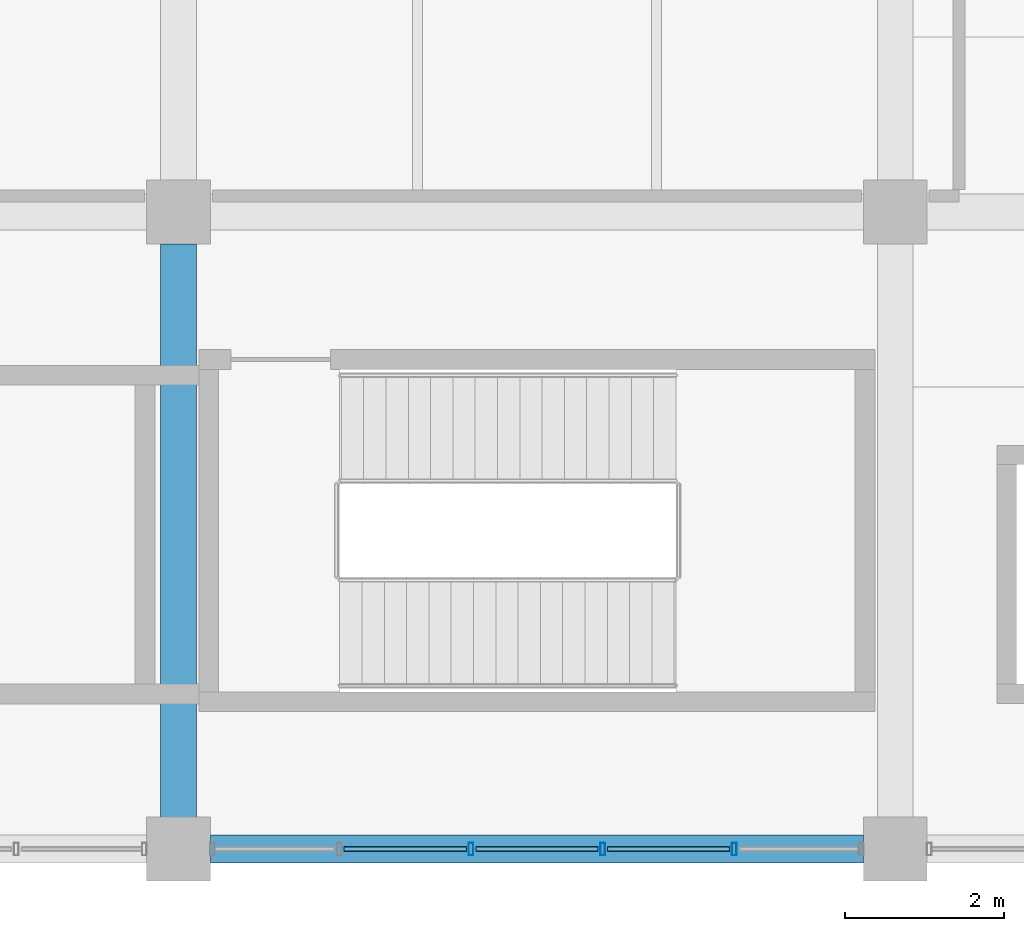
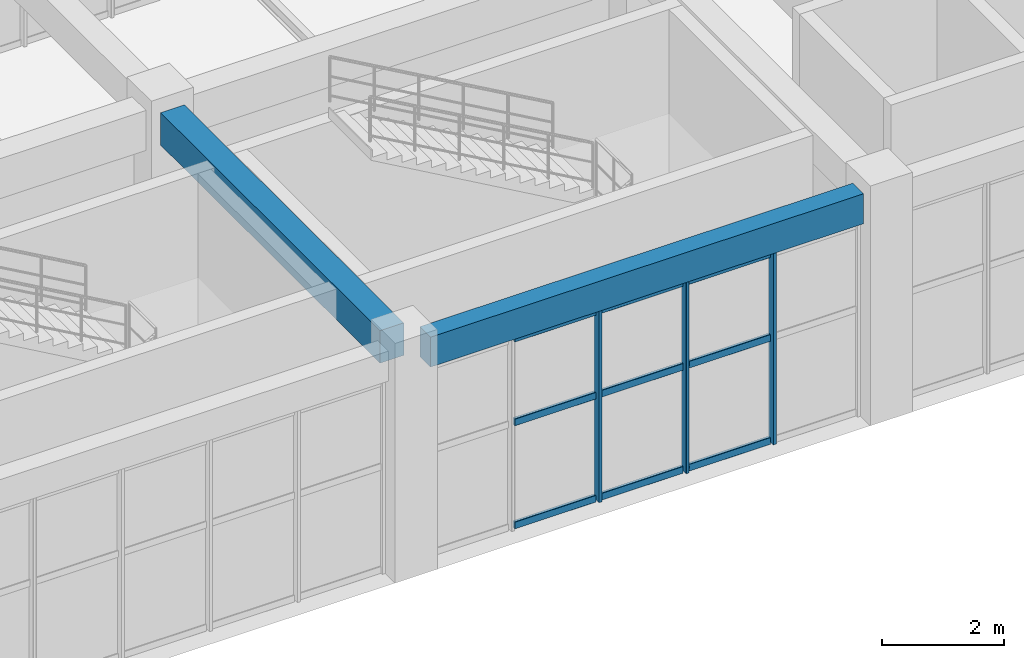
# One storey, part 12 of 178: 12 members, 2 beams, 1 element without a shape of its own.
"""IFC4 building model written with IfcOpenShell, lengths in metres."""

from ifc_helpers import new_model, si_unit, derived_unit, direction, frame, origin, origin_2d, place, context, subcontext, project, spatial, rectangle, hollow_rectangle, extrude, material, material_profile, profile_set, type_object, element, aggregate, save


model = new_model("IFC4")

# Units and contexts
model_context = context("Model", 3, precision=1e-05, world=origin(), true_north=direction((0.0, 1.0)))
body_context = subcontext(model_context, "Body", "Model", "MODEL_VIEW")
ifc_project = project(units=[si_unit("LENGTHUNIT", "METRE"), si_unit("AREAUNIT", "SQUARE_METRE"), si_unit("VOLUMEUNIT", "CUBIC_METRE"), si_unit("PLANEANGLEUNIT", "RADIAN"), si_unit("MASSUNIT", "GRAM", prefix="KILO"), derived_unit("THERMALTRANSMITTANCEUNIT", [(si_unit("MASSUNIT", "GRAM", prefix="KILO"), 1), (si_unit("TIMEUNIT", "SECOND"), -3), (si_unit("THERMODYNAMICTEMPERATUREUNIT", "KELVIN"), -1)])], contexts=[model_context])

# Site, building, storey
site_placement = place(None, origin())
site = spatial("IfcSite", under=ifc_project, at=site_placement, CompositionType="ELEMENT")
building_placement = place(site_placement, origin())
building = spatial("IfcBuilding", under=site, at=building_placement, Name="Zhenchuan Archway Interchange", CompositionType="ELEMENT")
storey_placement = place(building_placement, frame((0.0, 0.0, 5.39990234375)))
storey = spatial("IfcBuildingStorey", under=building, at=storey_placement, Name="L01", CompositionType="ELEMENT", Elevation=5.39990234375)

# Beam
ifc_material_1 = material(Name="Concrete C40", Category="concrete")
ifc_material_profile_1 = material_profile(ifc_material_1, rectangle(XDim=0.449951171875, YDim=0.64990234375, at=origin_2d()), Name="RC 450x650")
ifc_profile_set_1 = profile_set([ifc_material_profile_1], Name="Concrete C40")
beam_type_1 = type_object("IfcBeamType", Name="BM_RC_450x650", PredefinedType="BEAM", material=ifc_profile_set_1)
beam_1_placement = place(storey_placement, frame((9.0, 0.39990234375, 4.18505859375), z_axis=(0.0, 1.0, 0.0), x_axis=(-1.0, 0.0, 0.0)))
element("IfcBeam", 1, at=beam_1_placement, inside=storey, type_object=beam_type_1, Name="Beam 2:A-B (L01)", PredefinedType="BEAM", context=body_context, shape_type="SweptSolid", body=[
    extrude(rectangle(XDim=0.449951171875, YDim=0.64990234375, at=origin_2d()), origin(), (0.0, 0.0, 1.0), 7.2001953125),
])

# Curtain wall, members
ifc_material_2 = material(Name="Anodised Aluminium", Category="aluminium")
curtain_wall_type = type_object("IfcCurtainWallType", Name="CW_UNIT_2", PredefinedType="NOTDEFINED", material=ifc_material_2)
curtain_wall_placement = place(storey_placement, origin())
curtain_wall = element("IfcCurtainWall", 2, at=curtain_wall_placement, inside=storey, type_object=curtain_wall_type, Name="Unitised curtain wall CW:L01:085", PredefinedType="NOTDEFINED")
ifc_material_profile_2 = material_profile(ifc_material_2, hollow_rectangle(XDim=0.06005859375, YDim=0.159912109375, WallThickness=0.00390625, InnerFilletRadius=0.00390625, OuterFilletRadius=0.008056640625, at=origin_2d()), Name="ALU 160x60x4")
ifc_profile_set_2 = profile_set([ifc_material_profile_2], Name="Anodised Aluminium")
member_type_1 = type_object("IfcMemberType", Name="CW_MUL_150", PredefinedType="MULLION", material=ifc_profile_set_2)
member_1_placement = place(storey_placement, frame((15.979248046875, 0.0, 0.0), z_axis=(0.0, 0.0, 1.0), x_axis=(1.0, 0.0, 0.0)))
member_1 = element("IfcMember", 3, at=member_1_placement, type_object=member_type_1, Name="CW:L01:085 mullion 1", PredefinedType="MULLION", context=body_context, shape_type="SweptSolid", body=[
    extrude(hollow_rectangle(XDim=0.06005859375, YDim=0.159912109375, WallThickness=0.00390625, InnerFilletRadius=0.00390625, OuterFilletRadius=0.008056640625, at=origin_2d()), origin(), (0.0, 0.0, 1.0), 3.880126953125),
])
member_2_placement = place(storey_placement, frame((14.326416015625, 0.0, 0.0), z_axis=(0.0, 0.0, 1.0), x_axis=(1.0, 0.0, 0.0)))
member_2 = element("IfcMember", 4, at=member_2_placement, type_object=member_type_1, Name="CW:L01:085 mullion 2", PredefinedType="MULLION", context=body_context, shape_type="SweptSolid", body=[
    extrude(hollow_rectangle(XDim=0.06005859375, YDim=0.159912109375, WallThickness=0.00390625, InnerFilletRadius=0.00390625, OuterFilletRadius=0.008056640625, at=origin_2d()), origin(), (0.0, 0.0, 1.0), 3.880126953125),
])
member_3_placement = place(storey_placement, frame((12.673583984375, 0.0, 0.0), z_axis=(0.0, 0.0, 1.0), x_axis=(1.0, 0.0, 0.0)))
member_3 = element("IfcMember", 5, at=member_3_placement, type_object=member_type_1, Name="CW:L01:085 mullion 3", PredefinedType="MULLION", context=body_context, shape_type="SweptSolid", body=[
    extrude(hollow_rectangle(XDim=0.06005859375, YDim=0.159912109375, WallThickness=0.00390625, InnerFilletRadius=0.00390625, OuterFilletRadius=0.008056640625, at=origin_2d()), origin(), (0.0, 0.0, 1.0), 3.880126953125),
])
ifc_material_profile_3 = material_profile(ifc_material_2, hollow_rectangle(XDim=0.06005859375, YDim=0.139892578125, WallThickness=0.00341796875, InnerFilletRadius=0.00341796875, OuterFilletRadius=0.007080078125, at=origin_2d()), Name="ALU 140x60x3.5")
ifc_profile_set_3 = profile_set([ifc_material_profile_3], Name="Anodised Aluminium")
member_type_2 = type_object("IfcMemberType", Name="CW_TRN_140", PredefinedType="USERDEFINED", material=ifc_profile_set_3)
member_4_placement = place(storey_placement, frame((15.919189453125, 0.0, 0.06005859375), z_axis=(-1.0, 0.0, 0.0), x_axis=(0.0, -1.0, 0.0)))
member_4 = element("IfcMember", 6, at=member_4_placement, type_object=member_type_2, Name="CW:L01:085 transom 1-1", ObjectType="TRANSOM", PredefinedType="USERDEFINED", context=body_context, shape_type="SweptSolid", body=[
    extrude(hollow_rectangle(XDim=0.06005859375, YDim=0.139892578125, WallThickness=0.00341796875, InnerFilletRadius=0.00341796875, OuterFilletRadius=0.007080078125, at=origin_2d()), origin(), (0.0, 0.0, 1.0), 1.53271484375),
])
member_5_placement = place(storey_placement, frame((15.919189453125, 0.0, 2.123046875), z_axis=(-1.0, 0.0, 0.0), x_axis=(0.0, -1.0, 0.0)))
member_5 = element("IfcMember", 7, at=member_5_placement, type_object=member_type_2, Name="CW:L01:085 transom 1-2", ObjectType="TRANSOM", PredefinedType="USERDEFINED", context=body_context, shape_type="SweptSolid", body=[
    extrude(hollow_rectangle(XDim=0.06005859375, YDim=0.139892578125, WallThickness=0.00341796875, InnerFilletRadius=0.00341796875, OuterFilletRadius=0.007080078125, at=origin_2d()), origin(), (0.0, 0.0, 1.0), 1.53271484375),
])
member_6_placement = place(storey_placement, frame((15.919189453125, 0.0, 3.800048828125), z_axis=(-1.0, 0.0, 0.0), x_axis=(0.0, -1.0, 0.0)))
member_6 = element("IfcMember", 8, at=member_6_placement, type_object=member_type_2, Name="CW:L01:085 transom 1-3", ObjectType="TRANSOM", PredefinedType="USERDEFINED", context=body_context, shape_type="SweptSolid", body=[
    extrude(hollow_rectangle(XDim=0.06005859375, YDim=0.139892578125, WallThickness=0.00341796875, InnerFilletRadius=0.00341796875, OuterFilletRadius=0.007080078125, at=origin_2d()), origin(), (0.0, 0.0, 1.0), 1.53271484375),
])
member_7_placement = place(storey_placement, frame((14.266357421875, 0.0, 0.06005859375), z_axis=(-1.0, 0.0, 0.0), x_axis=(0.0, -1.0, 0.0)))
member_7 = element("IfcMember", 9, at=member_7_placement, type_object=member_type_2, Name="CW:L01:085 transom 2-1", ObjectType="TRANSOM", PredefinedType="USERDEFINED", context=body_context, shape_type="SweptSolid", body=[
    extrude(hollow_rectangle(XDim=0.06005859375, YDim=0.139892578125, WallThickness=0.00341796875, InnerFilletRadius=0.00341796875, OuterFilletRadius=0.007080078125, at=origin_2d()), origin(), (0.0, 0.0, 1.0), 1.53271484375),
])
member_8_placement = place(storey_placement, frame((14.266357421875, 0.0, 2.123046875), z_axis=(-1.0, 0.0, 0.0), x_axis=(0.0, -1.0, 0.0)))
member_8 = element("IfcMember", 10, at=member_8_placement, type_object=member_type_2, Name="CW:L01:085 transom 2-2", ObjectType="TRANSOM", PredefinedType="USERDEFINED", context=body_context, shape_type="SweptSolid", body=[
    extrude(hollow_rectangle(XDim=0.06005859375, YDim=0.139892578125, WallThickness=0.00341796875, InnerFilletRadius=0.00341796875, OuterFilletRadius=0.007080078125, at=origin_2d()), origin(), (0.0, 0.0, 1.0), 1.53271484375),
])
member_9_placement = place(storey_placement, frame((14.266357421875, 0.0, 3.800048828125), z_axis=(-1.0, 0.0, 0.0), x_axis=(0.0, -1.0, 0.0)))
member_9 = element("IfcMember", 11, at=member_9_placement, type_object=member_type_2, Name="CW:L01:085 transom 2-3", ObjectType="TRANSOM", PredefinedType="USERDEFINED", context=body_context, shape_type="SweptSolid", body=[
    extrude(hollow_rectangle(XDim=0.06005859375, YDim=0.139892578125, WallThickness=0.00341796875, InnerFilletRadius=0.00341796875, OuterFilletRadius=0.007080078125, at=origin_2d()), origin(), (0.0, 0.0, 1.0), 1.53271484375),
])
member_10_placement = place(storey_placement, frame((12.613525390625, 0.0, 0.06005859375), z_axis=(-1.0, 0.0, 0.0), x_axis=(0.0, -1.0, 0.0)))
member_10 = element("IfcMember", 12, at=member_10_placement, type_object=member_type_2, Name="CW:L01:085 transom 3-1", ObjectType="TRANSOM", PredefinedType="USERDEFINED", context=body_context, shape_type="SweptSolid", body=[
    extrude(hollow_rectangle(XDim=0.06005859375, YDim=0.139892578125, WallThickness=0.00341796875, InnerFilletRadius=0.00341796875, OuterFilletRadius=0.007080078125, at=origin_2d()), origin(), (0.0, 0.0, 1.0), 1.53271484375),
])
member_11_placement = place(storey_placement, frame((12.613525390625, 0.0, 2.123046875), z_axis=(-1.0, 0.0, 0.0), x_axis=(0.0, -1.0, 0.0)))
member_11 = element("IfcMember", 13, at=member_11_placement, type_object=member_type_2, Name="CW:L01:085 transom 3-2", ObjectType="TRANSOM", PredefinedType="USERDEFINED", context=body_context, shape_type="SweptSolid", body=[
    extrude(hollow_rectangle(XDim=0.06005859375, YDim=0.139892578125, WallThickness=0.00341796875, InnerFilletRadius=0.00341796875, OuterFilletRadius=0.007080078125, at=origin_2d()), origin(), (0.0, 0.0, 1.0), 1.53271484375),
])
member_12_placement = place(storey_placement, frame((12.613525390625, 0.0, 3.800048828125), z_axis=(-1.0, 0.0, 0.0), x_axis=(0.0, -1.0, 0.0)))
member_12 = element("IfcMember", 14, at=member_12_placement, type_object=member_type_2, Name="CW:L01:085 transom 3-3", ObjectType="TRANSOM", PredefinedType="USERDEFINED", context=body_context, shape_type="SweptSolid", body=[
    extrude(hollow_rectangle(XDim=0.06005859375, YDim=0.139892578125, WallThickness=0.00341796875, InnerFilletRadius=0.00341796875, OuterFilletRadius=0.007080078125, at=origin_2d()), origin(), (0.0, 0.0, 1.0), 1.53271484375),
])
aggregate(curtain_wall, [member_1, member_2, member_3, member_4, member_5, member_6, member_7, member_8, member_9, member_10, member_11, member_12])

# Beam
ifc_material_profile_4 = material_profile(ifc_material_1, rectangle(XDim=0.35009765625, YDim=0.60009765625, at=origin_2d()), Name="RC 350x600")
ifc_profile_set_4 = profile_set([ifc_material_profile_4], Name="Concrete C40")
beam_type_2 = type_object("IfcBeamType", Name="SP_RC_350x600", PredefinedType="SPANDREL", material=ifc_profile_set_4)
beam_2_placement = place(storey_placement, frame((9.39990234375, 0.0, 4.210205078125), z_axis=(1.0, 0.0, 0.0), x_axis=(0.0, 1.0, 0.0)))
element("IfcBeam", 15, at=beam_2_placement, inside=storey, type_object=beam_type_2, Name="Beam A:2-3 (L01)", PredefinedType="SPANDREL", context=body_context, shape_type="SweptSolid", body=[
    extrude(rectangle(XDim=0.35009765625, YDim=0.60009765625, at=origin_2d()), origin(), (0.0, 0.0, 1.0), 8.2001953125),
])

save(model, "model.ifc")
